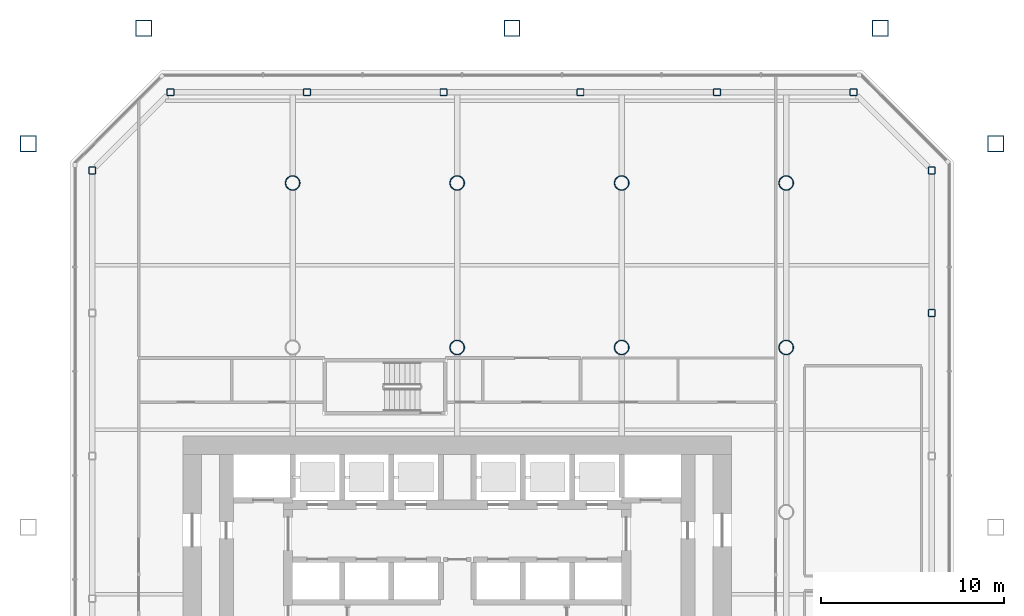
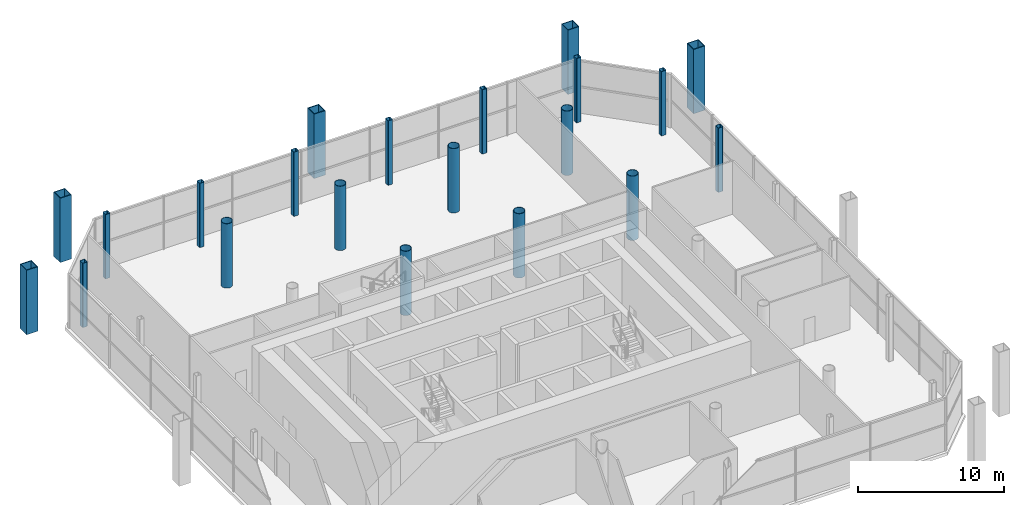
# One storey, part 2 of 13: 21 columns.
"""IFC4 building model written with IfcOpenShell, lengths in metres."""

from ifc_helpers import new_model, si_unit, direction, frame, origin, origin_2d, place, context, subcontext, project, spatial, hollow_rectangle, hollow_circle, extrude, material, material_profile, profile_set, type_object, element, save


model = new_model("IFC4")

# Units and contexts
model_context = context("Model", 3, precision=1e-05, world=origin(), true_north=direction((0.0, 1.0)))
body_context = subcontext(model_context, "Body", "Model", "MODEL_VIEW")
ifc_project = project(units=[si_unit("LENGTHUNIT", "METRE"), si_unit("AREAUNIT", "SQUARE_METRE"), si_unit("VOLUMEUNIT", "CUBIC_METRE"), si_unit("PLANEANGLEUNIT", "RADIAN"), si_unit("MASSUNIT", "GRAM", prefix="KILO")], contexts=[model_context])

# Site, building, storey
site_placement = place(None, origin())
site = spatial("IfcSite", under=ifc_project, at=site_placement, CompositionType="ELEMENT")
building_placement = place(site_placement, origin())
building = spatial("IfcBuilding", under=site, at=building_placement, Name="Tskaro Facet Tower", CompositionType="ELEMENT")
storey_placement = place(building_placement, frame((0.0, 0.0, 108.89990234375)))
storey = spatial("IfcBuildingStorey", under=building, at=storey_placement, Name="L26", CompositionType="ELEMENT", Elevation=108.89990234375)

# Columns
ifc_material_1 = material(Name="Steel S460M", Category="steel")
ifc_material_profile_1 = material_profile(ifc_material_1, hollow_rectangle(XDim=0.89990234375, YDim=0.89990234375, WallThickness=0.054931640625, at=origin_2d()), Name="BOX 900x900x55")
ifc_profile_set_1 = profile_set([ifc_material_profile_1], Name="Steel S460M")
column_type_1 = type_object("IfcColumnType", Name="BOX 900x900x55 mega column", PredefinedType="COLUMN", material=ifc_profile_set_1)
for number, where, z_axis, x_axis, name in (
    (1, (29.467041015625, 20.14111328125, 0.0), (0.0, 0.0, 1.0), (1.0, 0.0, 0.0), "BOX 900x900x55 MC06/2T"),
    (2, (23.14111328125, 26.467041015625, 0.0), (0.0, 0.0, 1.0), (1.0, 0.0, 0.0), "BOX 900x900x55 MC07/2T"),
    (3, (3.0, 26.467041015625, 0.0), (0.0, 0.0, 1.0), (1.0, 0.0, 0.0), "BOX 900x900x55 MC08/2T"),
    (4, (-17.14111328125, 26.467041015625, 0.0), (0.0, 0.0, 1.0), (1.0, 0.0, 0.0), "BOX 900x900x55 MC09/2T"),
    (5, (-23.467041015625, 20.14111328125, 0.0), (0.0, 0.0, 1.0), (1.0, 0.0, 0.0), "BOX 900x900x55 MC10/2T"),
):
    element("IfcColumn", number, at=place(storey_placement, frame(where, z_axis=z_axis, x_axis=x_axis)), inside=storey, type_object=column_type_1, Name=name, PredefinedType="COLUMN", context=body_context, shape_type="SweptSolid", body=[
        extrude(hollow_rectangle(XDim=0.89990234375, YDim=0.89990234375, WallThickness=0.054931640625, at=origin_2d()), origin(), (0.0, 0.0, 1.0), 5.400146484375),
    ])
ifc_material_2 = material(Name="Steel S355J2H", Category="steel")
ifc_material_profile_2 = material_profile(ifc_material_2, hollow_circle(Radius=0.406494140625, WallThickness=0.035888671875, at=origin_2d()), Name="CHS 812.8x36")
ifc_profile_set_2 = profile_set([ifc_material_profile_2], Name="Steel S355J2H")
column_type_2 = type_object("IfcColumnType", Name="CHS 812.8x36 interior column", PredefinedType="COLUMN", material=ifc_profile_set_2)
for number, where, z_axis, x_axis, name in (
    (6, (-9.0, 18.0, 0.0), (0.0, 0.0, 1.0), (1.0, 0.0, 0.0), "CHS 812.8x36 C3F/2"),
    (7, (0.0, 9.0, 0.0), (0.0, 0.0, 1.0), (1.0, 0.0, 0.0), "CHS 812.8x36 C4E/2"),
    (8, (0.0, 18.0, 0.0), (0.0, 0.0, 1.0), (1.0, 0.0, 0.0), "CHS 812.8x36 C4F/2"),
    (9, (9.0, 9.0, 0.0), (0.0, 0.0, 1.0), (1.0, 0.0, 0.0), "CHS 812.8x36 C5E/2"),
    (10, (9.0, 18.0, 0.0), (0.0, 0.0, 1.0), (1.0, 0.0, 0.0), "CHS 812.8x36 C5F/2"),
    (11, (18.0, 9.0, 0.0), (0.0, 0.0, 1.0), (1.0, 0.0, 0.0), "CHS 812.8x36 C6E/2"),
    (12, (18.0, 18.0, 0.0), (0.0, 0.0, 1.0), (1.0, 0.0, 0.0), "CHS 812.8x36 C6F/2"),
):
    element("IfcColumn", number, at=place(storey_placement, frame(where, z_axis=z_axis, x_axis=x_axis)), inside=storey, type_object=column_type_2, Name=name, PredefinedType="COLUMN", context=body_context, shape_type="SweptSolid", body=[
        extrude(hollow_circle(Radius=0.406494140625, WallThickness=0.035888671875, at=origin_2d()), origin(), (0.0, 0.0, 1.0), 5.400146484375),
    ])
ifc_material_profile_3 = material_profile(ifc_material_2, hollow_rectangle(XDim=0.39990234375, YDim=0.39990234375, WallThickness=0.02490234375, InnerFilletRadius=0.03759765625, OuterFilletRadius=0.0625, at=origin_2d()), Name="SHS 400x400x25")
ifc_profile_set_3 = profile_set([ifc_material_profile_3], Name="Steel S355J2H")
column_type_3 = type_object("IfcColumnType", Name="SHS 400x400x25 ring column", PredefinedType="COLUMN", material=ifc_profile_set_3)
for number, where, z_axis, x_axis, name in (
    (13, (25.965087890625, 10.87890625, 0.0), (0.0, 0.0, 1.0), (1.0, 0.0, 0.0), "SHS 400x400x25 RE-5/2"),
    (14, (25.965087890625, 18.68994140625, 0.0), (0.0, 0.0, 1.0), (1.0, 0.0, 0.0), "SHS 400x400x25 RNE-1/2"),
    (15, (21.68994140625, 22.965087890625, 0.0), (0.0, 0.0, 1.0), (1.0, 0.0, 0.0), "SHS 400x400x25 RN-1/2"),
    (16, (14.214111328125, 22.965087890625, 0.0), (0.0, 0.0, 1.0), (1.0, 0.0, 0.0), "SHS 400x400x25 RN-2/2"),
    (17, (6.738037109375, 22.965087890625, 0.0), (0.0, 0.0, 1.0), (1.0, 0.0, 0.0), "SHS 400x400x25 RN-3/2"),
    (18, (-0.738037109375, 22.965087890625, 0.0), (0.0, 0.0, 1.0), (1.0, 0.0, 0.0), "SHS 400x400x25 RN-4/2"),
    (19, (-8.214111328125, 22.965087890625, 0.0), (0.0, 0.0, 1.0), (1.0, 0.0, 0.0), "SHS 400x400x25 RN-5/2"),
    (20, (-15.68994140625, 22.965087890625, 0.0), (0.0, 0.0, 1.0), (1.0, 0.0, 0.0), "SHS 400x400x25 RNW-1/2"),
    (21, (-19.965087890625, 18.68994140625, 0.0), (0.0, 0.0, 1.0), (1.0, 0.0, 0.0), "SHS 400x400x25 RW-1/2"),
):
    element("IfcColumn", number, at=place(storey_placement, frame(where, z_axis=z_axis, x_axis=x_axis)), inside=storey, type_object=column_type_3, Name=name, PredefinedType="COLUMN", context=body_context, shape_type="SweptSolid", body=[
        extrude(hollow_rectangle(XDim=0.39990234375, YDim=0.39990234375, WallThickness=0.02490234375, InnerFilletRadius=0.03759765625, OuterFilletRadius=0.0625, at=origin_2d()), origin(), (0.0, 0.0, 1.0), 5.400146484375),
    ])

save(model, "model.ifc")
